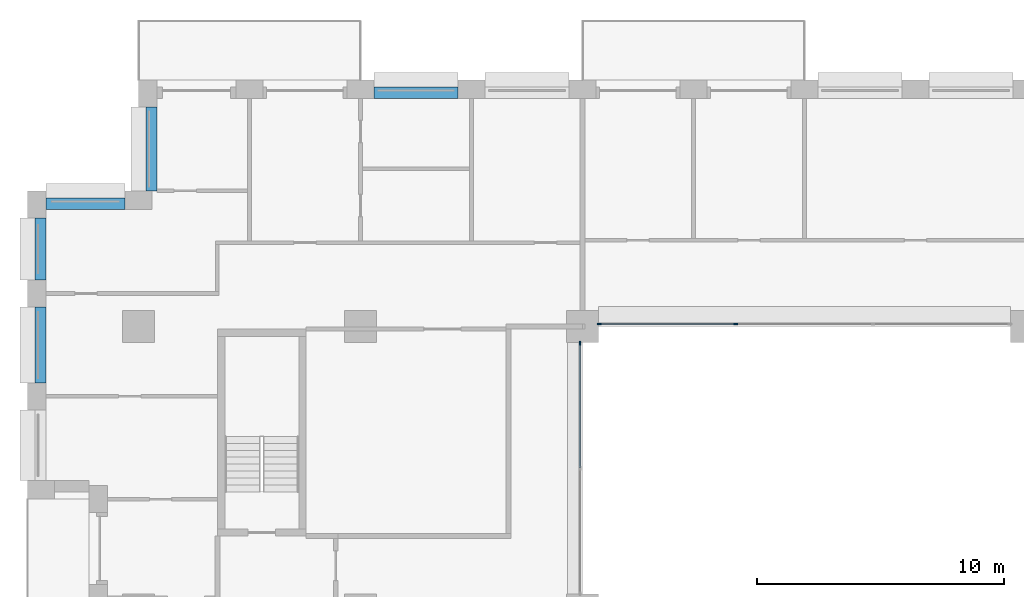
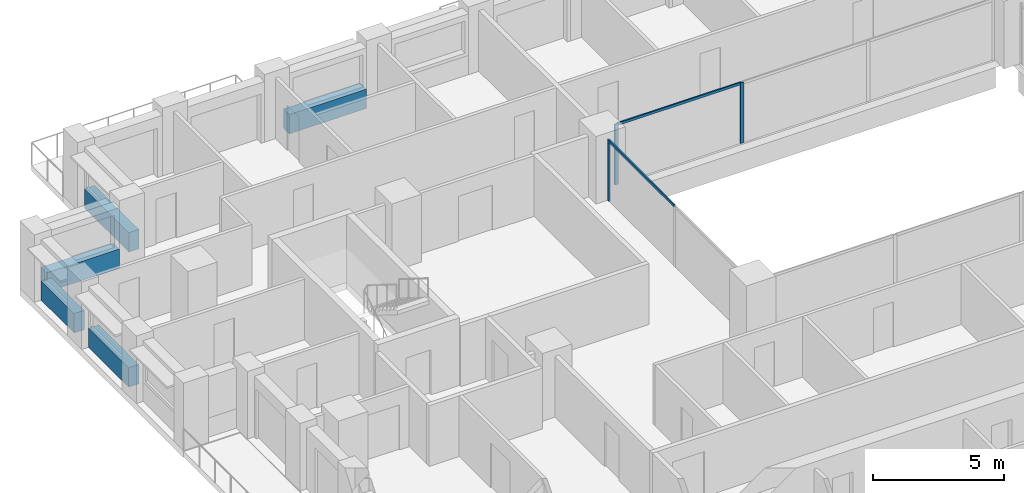
# One storey, part 5 of 16: 5 beams, 5 members, 2 elements without a shape of their own.
"""IFC4 building model written with IfcOpenShell, lengths in metres."""

from ifc_helpers import new_model, si_unit, direction, frame, origin, origin_2d, place, context, subcontext, project, spatial, rectangle, extrude, material, layer, layer_set, material_profile, profile_set, type_object, element, aggregate, save


model = new_model("IFC4")

# Units and contexts
model_context = context("Model", 3, precision=1e-05, world=origin(), true_north=direction((0.0, 1.0)))
body_context = subcontext(model_context, "Body", "Model", "MODEL_VIEW")
ifc_project = project(units=[si_unit("LENGTHUNIT", "METRE"), si_unit("AREAUNIT", "SQUARE_METRE"), si_unit("VOLUMEUNIT", "CUBIC_METRE"), si_unit("PLANEANGLEUNIT", "RADIAN"), si_unit("MASSUNIT", "GRAM", prefix="KILO")], contexts=[model_context])

# Site, building, storey
site_placement = place(None, origin())
site = spatial("IfcSite", under=ifc_project, at=site_placement, CompositionType="ELEMENT")
building_placement = place(site_placement, origin())
building = spatial("IfcBuilding", under=site, at=building_placement, Name="Brigalow Station Residences", CompositionType="ELEMENT")
storey_placement = place(building_placement, frame((0.0, 0.0, 124.5)))
storey = spatial("IfcBuildingStorey", under=building, at=storey_placement, Name="L36", CompositionType="ELEMENT", Elevation=124.5)

# Curtain wall, members
ifc_material_1 = material(Name="Aluminium", Category="aluminium")
ifc_layer = layer(ifc_material_1, 0.14990234375)
ifc_layer_set = layer_set([ifc_layer], Name="ATRIUM FIRE-RATED GLAZING CURTAIN WALL")
curtain_wall_type = type_object("IfcCurtainWallType", Name="ATRIUM FIRE-RATED GLAZING CURTAIN WALL", PredefinedType="NOTDEFINED", material=ifc_layer_set)
curtain_wall_1_placement = place(storey_placement, origin())
curtain_wall_1 = element("IfcCurtainWall", 1, at=curtain_wall_1_placement, inside=storey, type_object=curtain_wall_type, Name="L36/cw/atrium-N", PredefinedType="NOTDEFINED")
ifc_material_2 = material(Name="Aluminium", Category="aluminium")
ifc_material_profile_1 = material_profile(ifc_material_2, rectangle(XDim=0.06005859375, YDim=0.14990234375, at=origin_2d()), Name="ATRIUM FIRE-RATED GLAZING MULLION 60x150")
ifc_profile_set_1 = profile_set([ifc_material_profile_1], Name="Aluminium")
member_type_1 = type_object("IfcMemberType", Name="ATRIUM FIRE-RATED GLAZING MULLION 60x150", PredefinedType="MULLION", material=ifc_profile_set_1)
member_1_placement = place(storey_placement, frame((33.216796875, 35.60009765625, 0.0), z_axis=(0.0, 0.0, 1.0), x_axis=(0.0, -1.0, 0.0)))
member_1 = element("IfcMember", 2, at=member_1_placement, type_object=member_type_1, Name="L36/cw/atrium-N/M02", PredefinedType="MULLION", context=body_context, shape_type="SweptSolid", body=[
    extrude(rectangle(XDim=0.06005859375, YDim=0.14990234375, at=origin_2d()), origin(), (0.0, 0.0, 1.0), 2.830078125),
])
member_2_placement = place(storey_placement, frame((27.679931640625, 35.60009765625, 0.0), z_axis=(0.0, 0.0, 1.0), x_axis=(0.0, -1.0, 0.0)))
member_2 = element("IfcMember", 3, at=member_2_placement, type_object=member_type_1, Name="L36/cw/atrium-N/M03", PredefinedType="MULLION", context=body_context, shape_type="SweptSolid", body=[
    extrude(rectangle(XDim=0.06005859375, YDim=0.14990234375, at=origin_2d()), origin(), (0.0, 0.0, 1.0), 2.830078125),
])

# Curtain wall, member
curtain_wall_2_placement = place(storey_placement, origin())
curtain_wall_2 = element("IfcCurtainWall", 4, at=curtain_wall_2_placement, inside=storey, type_object=curtain_wall_type, Name="L36/cw/atrium-W", PredefinedType="NOTDEFINED")
member_3_placement = place(storey_placement, frame((26.89990234375, 34.820068359375, 0.0), z_axis=(0.0, 0.0, 1.0), x_axis=(1.0, 0.0, 0.0)))
member_3 = element("IfcMember", 5, at=member_3_placement, type_object=member_type_1, Name="L36/cw/atrium-W/M00", PredefinedType="MULLION", context=body_context, shape_type="SweptSolid", body=[
    extrude(rectangle(XDim=0.06005859375, YDim=0.14990234375, at=origin_2d()), origin(), (0.0, 0.0, 1.0), 2.830078125),
])

# Member
ifc_material_3 = material(Name="Aluminium", Category="aluminium")
ifc_material_profile_2 = material_profile(ifc_material_3, rectangle(XDim=0.06005859375, YDim=0.1201171875, at=origin_2d()), Name="ATRIUM FIRE-RATED GLAZING TRANSOM 60x120")
ifc_profile_set_2 = profile_set([ifc_material_profile_2], Name="Aluminium")
member_type_2 = type_object("IfcMemberType", Name="ATRIUM FIRE-RATED GLAZING TRANSOM 60x120", PredefinedType="USERDEFINED", material=ifc_profile_set_2)
member_4_placement = place(storey_placement, frame((33.186767578125, 35.60009765625, 2.800048828125), z_axis=(-1.0, 0.0, 0.0), x_axis=(0.0, -1.0, 0.0)))
member_4 = element("IfcMember", 6, at=member_4_placement, type_object=member_type_2, Name="L36/cw/atrium-N/T02-00", ObjectType="TRANSOM", PredefinedType="USERDEFINED", context=body_context, shape_type="SweptSolid", body=[
    extrude(rectangle(XDim=0.06005859375, YDim=0.1201171875, at=origin_2d()), origin(), (0.0, 0.0, 1.0), 5.476806640625),
])

aggregate(curtain_wall_1, [member_1, member_2, member_4])

member_5_placement = place(storey_placement, frame((26.89990234375, 34.7900390625, 2.800048828125), z_axis=(0.0, -1.0, 0.0), x_axis=(1.0, 0.0, 0.0)))
member_5 = element("IfcMember", 7, at=member_5_placement, type_object=member_type_2, Name="L36/cw/atrium-W/T00-00", ObjectType="TRANSOM", PredefinedType="USERDEFINED", context=body_context, shape_type="SweptSolid", body=[
    extrude(rectangle(XDim=0.06005859375, YDim=0.1201171875, at=origin_2d()), origin(), (0.0, 0.0, 1.0), 5.010009765625),
])

aggregate(curtain_wall_2, [member_3, member_5])

# Beams
ifc_material_4 = material(Name="Concrete C65", Category="concrete")
ifc_material_profile_3 = material_profile(ifc_material_4, rectangle(XDim=0.449951171875, YDim=0.89990234375, at=origin_2d()), Name="RC450x900")
ifc_profile_set_3 = profile_set([ifc_material_profile_3], Name="Concrete C65")
beam_type = type_object("IfcBeamType", Name="SPANDREL BEAM 450x900 C65", PredefinedType="SPANDREL", material=ifc_profile_set_3)
for number, where, z_axis, x_axis, name in (
    (8, (21.949951171875, 44.97509765625, 0.449951171875), (-1.0, 0.0, 0.0), (0.0, -1.0, 0.0), "L36/spandrel/W-L36-34"),
    (9, (9.52490234375, 44.39990234375, 0.449951171875), (0.0, -1.0, 0.0), (1.0, 0.0, 0.0), "L36/spandrel/W-L36-37"),
):
    element("IfcBeam", number, at=place(storey_placement, frame(where, z_axis=z_axis, x_axis=x_axis)), inside=storey, type_object=beam_type, Name=name, PredefinedType="SPANDREL", context=body_context, shape_type="SweptSolid", body=[
        extrude(rectangle(XDim=0.449951171875, YDim=0.89990234375, at=origin_2d()), origin(), (0.0, 0.0, 1.0), 3.39990234375),
    ])
beam_1_placement = place(storey_placement, frame((8.449951171875, 40.47509765625, 0.449951171875), z_axis=(-1.0, 0.0, 0.0), x_axis=(0.0, -1.0, 0.0)))
element("IfcBeam", 10, at=beam_1_placement, inside=storey, type_object=beam_type, Name="L36/spandrel/W-L36-38", PredefinedType="SPANDREL", context=body_context, shape_type="SweptSolid", body=[
    extrude(rectangle(XDim=0.449951171875, YDim=0.89990234375, at=origin_2d()), origin(), (0.0, 0.0, 1.0), 3.199951171875),
])
beam_2_placement = place(storey_placement, frame((5.02490234375, 39.89990234375, 0.449951171875), z_axis=(0.0, -1.0, 0.0), x_axis=(1.0, 0.0, 0.0)))
element("IfcBeam", 11, at=beam_2_placement, inside=storey, type_object=beam_type, Name="L36/spandrel/W-L36-39", PredefinedType="SPANDREL", context=body_context, shape_type="SweptSolid", body=[
    extrude(rectangle(XDim=0.449951171875, YDim=0.89990234375, at=origin_2d()), origin(), (0.0, 0.0, 1.0), 2.516845703125),
])
beam_3_placement = place(storey_placement, frame((5.02490234375, 36.282958984375, 0.449951171875), z_axis=(0.0, -1.0, 0.0), x_axis=(1.0, 0.0, 0.0)))
element("IfcBeam", 12, at=beam_3_placement, inside=storey, type_object=beam_type, Name="L36/spandrel/W-L36-40", PredefinedType="SPANDREL", context=body_context, shape_type="SweptSolid", body=[
    extrude(rectangle(XDim=0.449951171875, YDim=0.89990234375, at=origin_2d()), origin(), (0.0, 0.0, 1.0), 3.06591796875),
])

save(model, "model.ifc")
